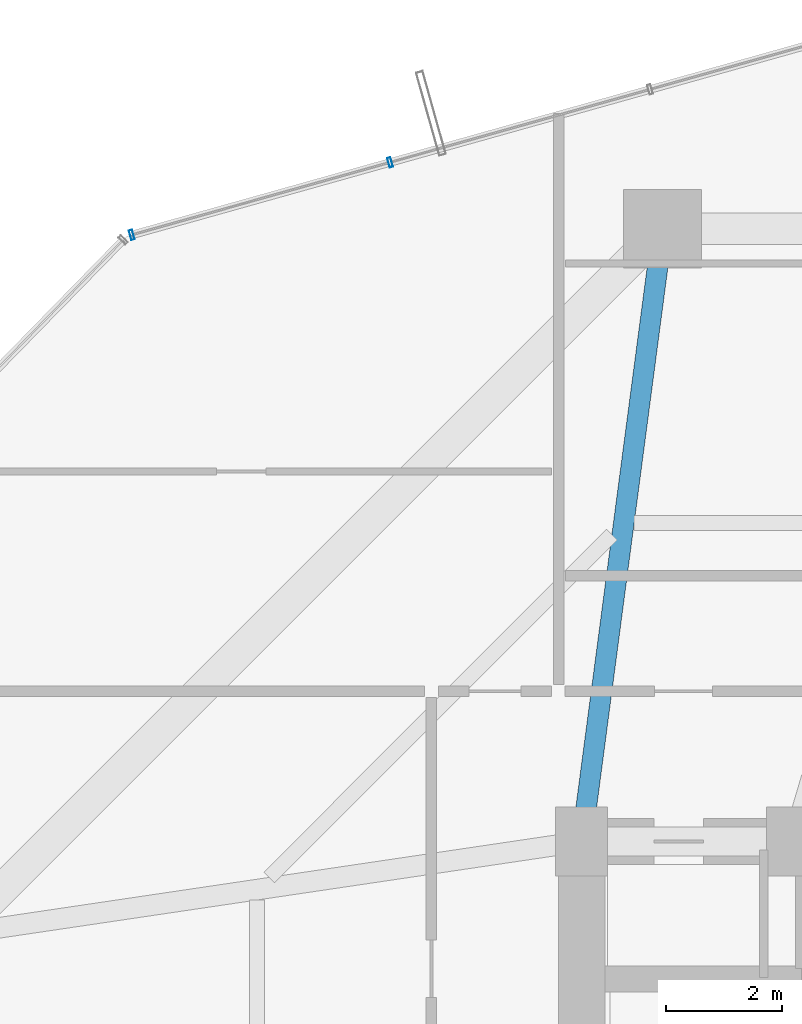
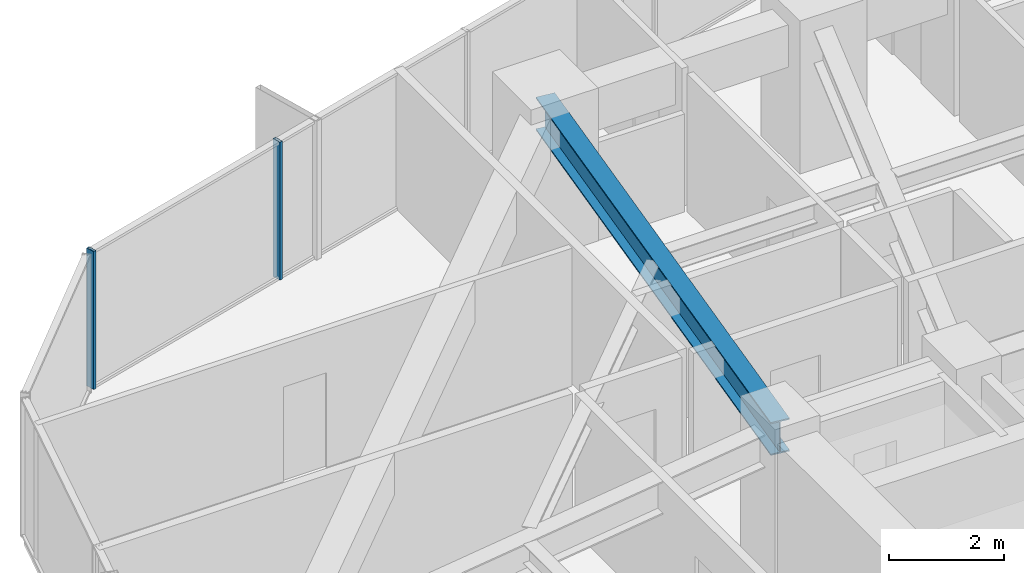
# One storey, part 24 of 39: 2 members, 1 beam, 1 element without a shape of its own.
"""IFC4 building model written with IfcOpenShell, lengths in metres."""

from ifc_helpers import new_model, si_unit, direction, frame, origin, origin_2d, place, context, subcontext, project, spatial, hollow_rectangle, i_section, extrude, source, transform, mapped, material, layer, layer_set, material_profile, profile_set, type_object, element, aggregate, save


model = new_model("IFC4")

# Units and contexts
model_context = context("Model", 3, precision=1e-05, world=origin(), true_north=direction((0.0, 1.0)))
body_context = subcontext(model_context, "Body", "Model", "MODEL_VIEW")
ifc_project = project(units=[si_unit("LENGTHUNIT", "METRE"), si_unit("AREAUNIT", "SQUARE_METRE"), si_unit("VOLUMEUNIT", "CUBIC_METRE"), si_unit("PLANEANGLEUNIT", "RADIAN"), si_unit("MASSUNIT", "GRAM", prefix="KILO")], contexts=[model_context])

# Site, building, storey
site_placement = place(None, origin())
site = spatial("IfcSite", under=ifc_project, at=site_placement, CompositionType="ELEMENT")
building_placement = place(site_placement, origin())
building = spatial("IfcBuilding", under=site, at=building_placement, Name="Veraguas Prism Commons", CompositionType="ELEMENT")
storey_placement = place(building_placement, frame((0.0, 0.0, 77.10009765625)))
storey = spatial("IfcBuildingStorey", under=building, at=storey_placement, Name="L21", CompositionType="ELEMENT", Elevation=77.10009765625)

# Beam
ifc_material_1 = material(Name="Steel ASTM A992 Grade 50", Category="steel")
ifc_material_profile_1 = material_profile(ifc_material_1, i_section(OverallWidth=0.35595703125, OverallDepth=0.700927734375, WebThickness=0.016845703125, FlangeThickness=0.02734375, at=origin_2d()), Name="W690X240")
ifc_profile_set_1 = profile_set([ifc_material_profile_1], Name="Steel ASTM A992 Grade 50")
beam_type = type_object("IfcBeamType", Name="Zone 1 Radial Girder W690x240", PredefinedType="BEAM", material=ifc_profile_set_1)
beam_placement = place(storey_placement, frame((18.60009765625, 41.60009765625, 2.579345703125), z_axis=(-0.130950648891, -0.991388888154, 0.0), x_axis=(0.991388888154, -0.130950648891, 0.0)))
element("IfcBeam", 1, at=beam_placement, inside=storey, type_object=beam_type, Name="Radial Floor Girder L21-RD06", PredefinedType="BEAM", context=body_context, shape_type="SweptSolid", body=[
    extrude(i_section(OverallWidth=0.35595703125, OverallDepth=0.700927734375, WebThickness=0.016845703125, FlangeThickness=0.02734375, at=origin_2d()), origin(), (0.0, 0.0, 1.0), 10.692138671875),
])

# Curtain wall, members
ifc_material_2 = material(Name="Anodised aluminium EN AW-6063 T6", Category="aluminium")
ifc_layer = layer(ifc_material_2, 0.169921875, Name="Unitised Flush Curtain Wall Zone 1", Category="aluminium")
ifc_layer_set = layer_set([ifc_layer], Name="Anodised aluminium EN AW-6063 T6")
curtain_wall_type = type_object("IfcCurtainWallType", Name="Unitised Flush Curtain Wall Zone 1", PredefinedType="NOTDEFINED", material=ifc_layer_set)
curtain_wall_placement = place(storey_placement, origin())
curtain_wall = element("IfcCurtainWall", 2, at=curtain_wall_placement, inside=storey, type_object=curtain_wall_type, Name="Tower Facade Curtain Wall L21-F2", PredefinedType="NOTDEFINED")
ifc_material_profile_2 = material_profile(ifc_material_2, hollow_rectangle(XDim=0.06005859375, YDim=0.169921875, WallThickness=0.00390625, at=origin_2d()), Name="AL60X170X4")
ifc_profile_set_2 = profile_set([ifc_material_profile_2], Name="Anodised aluminium EN AW-6063 T6")
member_type = type_object("IfcMemberType", Name="Curtain Wall Mullion Lower AL 60x170x4", PredefinedType="MULLION", material=ifc_profile_set_2)
shared_shape = source(origin(), body_context, "Body", "SweptSolid", [
    extrude(hollow_rectangle(XDim=0.06005859375, YDim=0.169921875, WallThickness=0.00390625, at=origin_2d()), origin(), (0.0, 0.0, 1.0), 2.929931640625),
])
member_1_placement = place(storey_placement, frame((13.885498046875, 42.748779296875, 0.0), z_axis=(0.0, 0.0, 1.0), x_axis=(-0.962785673447, -0.270266067062, 0.0)))
member_1 = element("IfcMember", 3, at=member_1_placement, type_object=member_type, Name="CW-Z1 Mullion 4", PredefinedType="MULLION", context=body_context, shape_type="MappedRepresentation", body=[
    mapped(shared_shape, transform((0.0, 0.0, 0.0), scale=1.0)),
])
member_2_placement = place(storey_placement, frame((9.417236328125, 41.494384765625, 0.0), z_axis=(0.0, 0.0, 1.0), x_axis=(-0.962785673447, -0.270266067062, 0.0)))
member_2 = element("IfcMember", 4, at=member_2_placement, type_object=member_type, Name="CW-Z1 Mullion 5", PredefinedType="MULLION", context=body_context, shape_type="MappedRepresentation", body=[
    mapped(shared_shape, transform((0.0, 0.0, 0.0), scale=1.0)),
])
aggregate(curtain_wall, [member_1, member_2])

save(model, "model.ifc")
